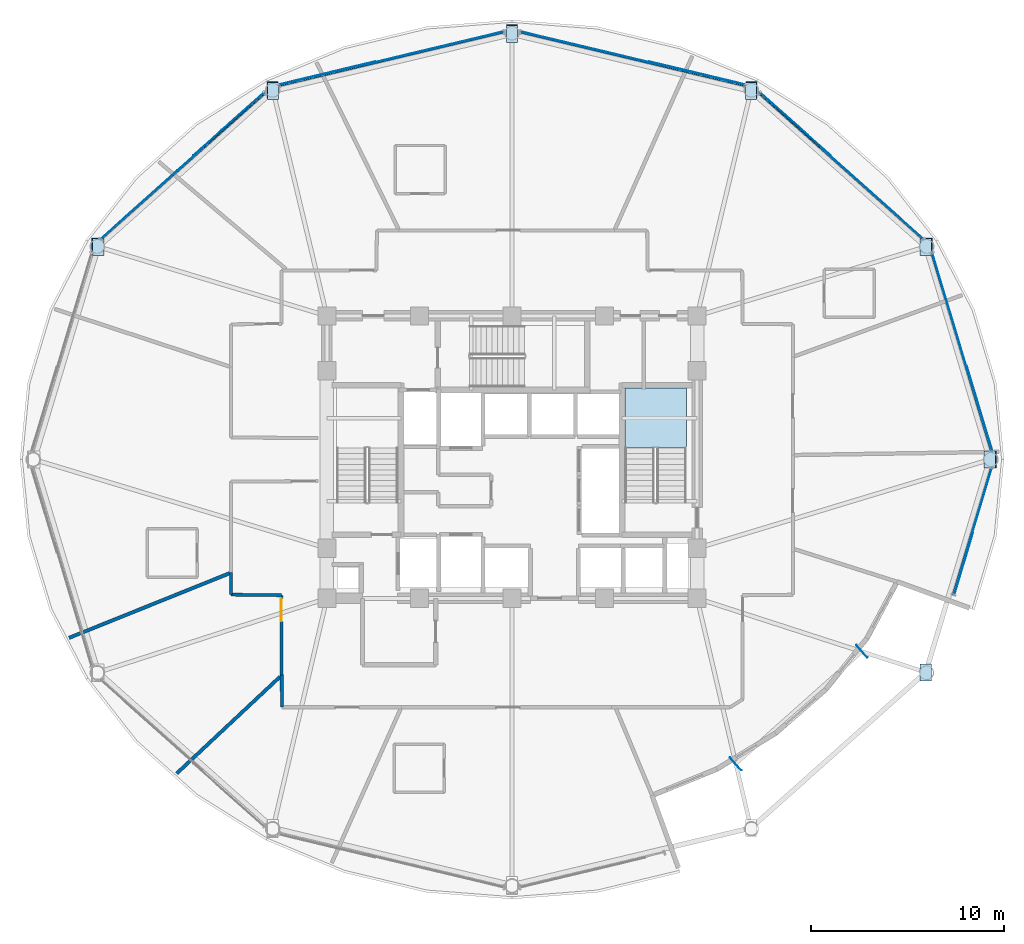
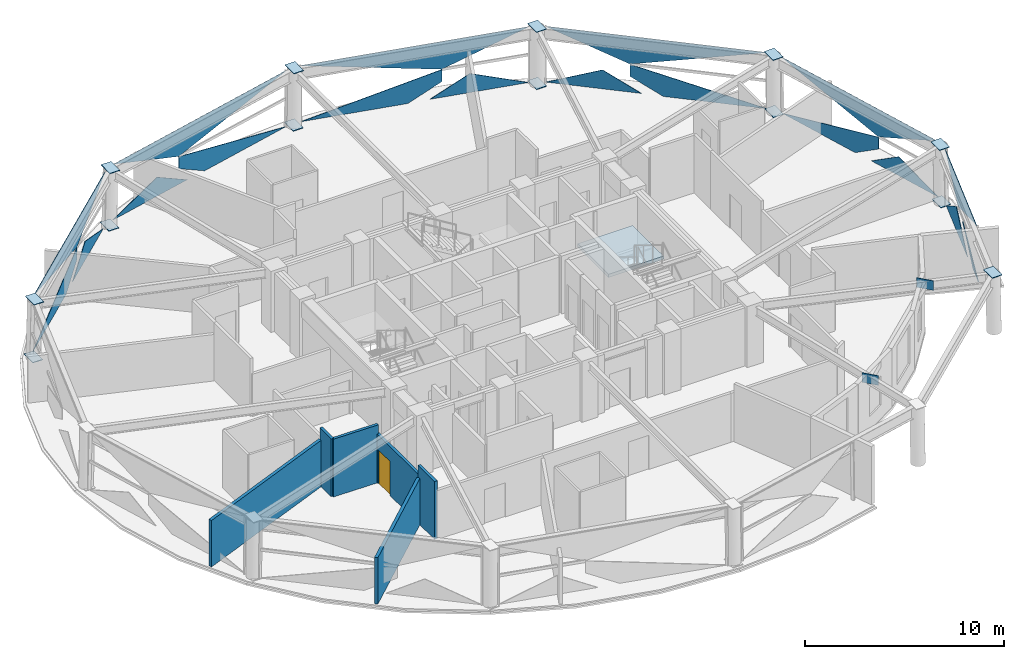
# One storey, part 9 of 16: 33 plates, 6 walls, 1 door, 1 slab, 1 opening, 7 elements without a shape of their own.
"""IFC4 building model written with IfcOpenShell, lengths in metres."""

from ifc_helpers import new_model, si_unit, direction, frame, frame_2d, origin, origin_2d, place, context, subcontext, project, spatial, polyline, rectangle, outline, extrude, material, layer, layer_set, type_object, element, fill, aggregate, save


model = new_model("IFC4")

# Units and contexts
model_context = context("Model", 3, precision=1e-05, world=origin(), true_north=direction((0.0, 1.0)))
body_context = subcontext(model_context, "Body", "Model", "MODEL_VIEW")
ifc_project = project(units=[si_unit("LENGTHUNIT", "METRE"), si_unit("AREAUNIT", "SQUARE_METRE"), si_unit("VOLUMEUNIT", "CUBIC_METRE"), si_unit("PLANEANGLEUNIT", "RADIAN"), si_unit("MASSUNIT", "GRAM", prefix="KILO")], contexts=[model_context])

# Site, building, storey
site_placement = place(None, origin())
site = spatial("IfcSite", under=ifc_project, at=site_placement, CompositionType="ELEMENT")
building_placement = place(site_placement, origin())
building = spatial("IfcBuilding", under=site, at=building_placement, Name="Vantalir Tower", CompositionType="ELEMENT")
storey_placement = place(building_placement, frame((0.0, 0.0, 145.949951171875)))
storey = spatial("IfcBuildingStorey", under=building, at=storey_placement, Name="L36", CompositionType="ELEMENT", Elevation=145.949951171875)

# Curtain wall, plates
ifc_material_1 = material(Name="Champagne-silver PVDF aluminium and double-silver Low-E glass", Category="aluminium")
ifc_layer_1 = layer(ifc_material_1, 0.199951171875)
ifc_layer_set_1 = layer_set([ifc_layer_1], Name="Champagne-silver PVDF aluminium and double-silver Low-E glass")
curtain_wall_type = type_object("IfcCurtainWallType", Name="CW-DIAMOND-Z2", PredefinedType="USERDEFINED", material=ifc_layer_set_1)
curtain_wall_1_placement = place(storey_placement, origin())
curtain_wall_1 = element("IfcCurtainWall", 1, at=curtain_wall_1_placement, inside=storey, type_object=curtain_wall_type, Name="L36 Quilted Pyramid-Diamond Curtain Wall S01", ObjectType="UNITISED CURTAIN WALL", PredefinedType="USERDEFINED")
ifc_material_2 = material(Name="Double-silver Low-E laminated glass IGU", Category="glass")
ifc_layer_2 = layer(ifc_material_2, 0.028076171875)
ifc_layer_set_2 = layer_set([ifc_layer_2], Name="Double-silver Low-E laminated glass IGU")
plate_type_1 = type_object("IfcPlateType", Name="CWP-IGU-28", PredefinedType="CURTAIN_PANEL", material=ifc_layer_set_2)
plate_1_placement = place(storey_placement, frame((54.76123046875, 30.900634765625, 0.046630859375), z_axis=(0.957655494281, 0.287896056791, 0.003437260198), x_axis=(-0.287897757433, 0.95766115159, -2.5426e-08)))
plate_1 = element("IfcPlate", 2, at=plate_1_placement, type_object=plate_type_1, Name="CW-L36-S01 Pyramid Diamond Facet 1L", PredefinedType="CURTAIN_PANEL", context=body_context, shape_type="SweptSolid", body=[
    extrude(outline(polyline([(0.0, 0.0), (5.033920455913618, 0.0), (-1.6190881230757117, 1.7263285163143134), (-1.6190895679045152, 0.9956111810586544), (0.0, 0.0)])), origin(), (0.0, 0.0, -1.0), 0.028076171875),
])
plate_2_placement = place(storey_placement, frame((56.4345703125, 25.44482421875, 0.046875), z_axis=(0.957666337096, 0.287860187207, 0.003420440718), x_axis=(-0.28786187112, 0.957671939213, 0.0)))
plate_2 = element("IfcPlate", 3, at=plate_2_placement, type_object=plate_type_1, Name="CW-L36-S01 Pyramid Diamond Facet 1L Infill Light", PredefinedType="CURTAIN_PANEL", context=body_context, shape_type="SweptSolid", body=[
    extrude(outline(polyline([(0.0, 0.0), (4.618846666204608, 8.673617379884035e-19), (2.7381322874267946, 1.156500905836639), (0.0, 0.0)])), origin(), (0.0, 0.0, -1.0), 0.028076171875),
])
plate_3_placement = place(storey_placement, frame((53.258056640625, 35.693359375, 3.5234375), z_axis=(0.957202659704, 0.28777973253, 0.030755386539), x_axis=(0.28791660525, -0.957655484974, -2.2792638e-05)))
plate_3 = element("IfcPlate", 4, at=plate_3_placement, type_object=plate_type_1, Name="CW-L36-S01 Pyramid Diamond Facet 2U", PredefinedType="CURTAIN_PANEL", context=body_context, shape_type="SweptSolid", body=[
    extrude(outline(polyline([(0.0, 0.0), (10.711380721923996, -1.691355389077387e-17), (6.64178824317576, 1.7269839408860455), (0.0, 0.0)])), origin(), (0.0, 0.0, -1.0), 0.028076171875),
])
aggregate(curtain_wall_1, [plate_1, plate_2, plate_3])

curtain_wall_2_placement = place(storey_placement, origin())
curtain_wall_2 = element("IfcCurtainWall", 5, at=curtain_wall_2_placement, inside=storey, type_object=curtain_wall_type, Name="L36 Quilted Pyramid-Diamond Curtain Wall S02", ObjectType="UNITISED CURTAIN WALL", PredefinedType="USERDEFINED")
plate_4_placement = place(storey_placement, frame((52.84130859375, 36.459716796875, 0.04638671875), z_axis=(0.665376583103, 0.746504205567, 0.002339600383), x_axis=(-0.746506319114, 0.665378323534, 4.576229e-05)))
plate_4 = element("IfcPlate", 6, at=plate_4_placement, type_object=plate_type_1, Name="CW-L36-S02 Pyramid Diamond Facet 1L", PredefinedType="CURTAIN_PANEL", context=body_context, shape_type="SweptSolid", body=[
    extrude(outline(polyline([(0.0, 0.0), (5.335393148997411, 7.047314121155779e-19), (7.040545642583719, 0.9933328719211961), (7.040678226600907, 1.7264891892320173), (0.0, 0.0)])), origin(), (0.0, 0.0, -1.0), 0.028076171875),
])
plate_5_placement = place(storey_placement, frame((48.034423828125, 40.787109375, 0.046630859375), z_axis=(0.665354603137, 0.746523188204, 0.002526174586), x_axis=(-0.746525653081, 0.665356631294, 4.9858121e-05)))
plate_5 = element("IfcPlate", 7, at=plate_5_placement, type_object=plate_type_1, Name="CW-L36-S02 Pyramid Diamond Facet 1L Infill Light", PredefinedType="CURTAIN_PANEL", context=body_context, shape_type="SweptSolid", body=[
    extrude(outline(polyline([(0.0, 0.0), (4.896707250500705, 2.710505431213761e-19), (1.9913833156679766, 1.160060666313716), (0.0, 0.0)])), origin(), (0.0, 0.0, -1.0), 0.028076171875),
])
plate_6_placement = place(storey_placement, frame((44.32666015625, 43.974365234375, 3.5234375), z_axis=(0.665155452201, 0.746107527391, 0.029862718842), x_axis=(0.746440004295, -0.665452717723, 2.1539172e-05)))
plate_6 = element("IfcPlate", 8, at=plate_6_placement, type_object=plate_type_1, Name="CW-L36-S02 Pyramid Diamond Facet 2U", PredefinedType="CURTAIN_PANEL", context=body_context, shape_type="SweptSolid", body=[
    extrude(outline(polyline([(0.0, 0.0), (11.334726583109456, 2.054563116860031e-17), (4.315824173374079, 1.727425875109583), (0.0, 0.0)])), origin(), (0.0, 0.0, -1.0), 0.028076171875),
])
aggregate(curtain_wall_2, [plate_4, plate_5, plate_6])

curtain_wall_3_placement = place(storey_placement, origin())
curtain_wall_3 = element("IfcCurtainWall", 9, at=curtain_wall_3_placement, inside=storey, type_object=curtain_wall_type, Name="L36 Quilted Pyramid-Diamond Curtain Wall S03", ObjectType="UNITISED CURTAIN WALL", PredefinedType="USERDEFINED")
plate_7_placement = place(storey_placement, frame((37.41259765625, 45.901611328125, 0.04638671875), z_axis=(0.232310110118, 0.972640530963, 0.001552502784), x_axis=(-0.972641703115, 0.232310390127, -2.91e-08)))
plate_7 = element("IfcPlate", 10, at=plate_7_placement, type_object=plate_type_1, Name="CW-L36-S03 Pyramid Diamond Facet 1L", PredefinedType="CURTAIN_PANEL", context=body_context, shape_type="SweptSolid", body=[
    extrude(outline(polyline([(0.0, 0.0), (5.624105275381156, 4.336808689942018e-19), (-1.784803683673208, 1.7270528106404872), (-1.7847575416652666, 0.9936533256351806), (0.0, 0.0)])), origin(), (0.0, 0.0, -1.0), 0.028076171875),
])
plate_8_placement = place(storey_placement, frame((43.5830078125, 44.460693359375, 0.046630859375), z_axis=(0.23232511391, 0.972636934376, 0.001560555849), x_axis=(-0.972638118726, 0.232325396806, 0.0)))
plate_8 = element("IfcPlate", 11, at=plate_8_placement, type_object=plate_type_1, Name="CW-L36-S03 Pyramid Diamond Facet 1L Infill Light", PredefinedType="CURTAIN_PANEL", context=body_context, shape_type="SweptSolid", body=[
    extrude(outline(polyline([(0.0, 0.0), (5.16600995415014, -2.168404344971009e-19), (3.0719119702863904, 1.1655287629771018), (0.0, 0.0)])), origin(), (0.0, 0.0, -1.0), 0.028076171875),
])
plate_9_placement = place(storey_placement, frame((31.942626953125, 47.1533203125, 3.523681640625), z_axis=(0.232172056274, 0.972243507747, 0.028960281926), x_axis=(0.972651611226, -0.232268901837, -2.0467827e-05)))
plate_9 = element("IfcPlate", 12, at=plate_9_placement, type_object=plate_type_1, Name="CW-L36-S03 Pyramid Diamond Facet 2U", PredefinedType="CURTAIN_PANEL", context=body_context, shape_type="SweptSolid", body=[
    extrude(outline(polyline([(0.0, 0.0), (11.928018734273456, 1.0842021724855044e-19), (7.39600446127463, 1.7276240307882713), (0.0, 0.0)])), origin(), (0.0, 0.0, -1.0), 0.028076171875),
])
aggregate(curtain_wall_3, [plate_7, plate_8, plate_9])

curtain_wall_4_placement = place(storey_placement, origin())
curtain_wall_4 = element("IfcCurtainWall", 13, at=curtain_wall_4_placement, inside=storey, type_object=curtain_wall_type, Name="L36 Quilted Pyramid-Diamond Curtain Wall S04", ObjectType="UNITISED CURTAIN WALL", PredefinedType="USERDEFINED")
plate_10_placement = place(storey_placement, frame((31.0576171875, 47.208251953125, 0.04638671875), z_axis=(-0.232322418023, 0.972637559466, 0.001572259575), x_axis=(-0.972638761633, -0.232322705237, 4.1279e-08)))
plate_10 = element("IfcPlate", 14, at=plate_10_placement, type_object=plate_type_1, Name="CW-L36-S04 Pyramid Diamond Facet 1L", PredefinedType="CURTAIN_PANEL", context=body_context, shape_type="SweptSolid", body=[
    extrude(outline(polyline([(0.0, 0.0), (5.623630354994772, -4.336808689942018e-19), (7.408387926816473, 0.9936532660919719), (7.408196632872733, 1.7270528422228364), (0.0, 0.0)])), origin(), (0.0, 0.0, -1.0), 0.028076171875),
])
plate_11_placement = place(storey_placement, frame((24.4423828125, 45.660888671875, 0.046630859375), z_axis=(-0.232291059458, 0.972644965137, 0.001623419215), x_axis=(-0.972646246837, -0.232291365559, 0.0)))
plate_11 = element("IfcPlate", 15, at=plate_11_placement, type_object=plate_type_1, Name="CW-L36-S04 Pyramid Diamond Facet 1L Infill Light", PredefinedType="CURTAIN_PANEL", context=body_context, shape_type="SweptSolid", body=[
    extrude(outline(polyline([(0.0, 0.0), (5.165715776766269, -2.168404344971009e-19), (2.0940979189424147, 1.1655288796208356), (0.0, 0.0)])), origin(), (0.0, 0.0, -1.0), 0.028076171875),
])
plate_12_placement = place(storey_placement, frame((19.45654296875, 44.3828125, 3.5234375), z_axis=(-0.23218595414, 0.972240325443, 0.028955695161), x_axis=(0.972648298282, 0.232282774715, 2.046905e-05)))
plate_12 = element("IfcPlate", 16, at=plate_12_placement, type_object=plate_type_1, Name="CW-L36-S04 Pyramid Diamond Facet 2U", PredefinedType="CURTAIN_PANEL", context=body_context, shape_type="SweptSolid", body=[
    extrude(outline(polyline([(0.0, 0.0), (11.927306344169839, 6.884683795282953e-18), (4.531777521075065, 1.7276238018212564), (0.0, 0.0)])), origin(), (0.0, 0.0, -1.0), 0.028076171875),
])
aggregate(curtain_wall_4, [plate_10, plate_11, plate_12])

curtain_wall_5_placement = place(storey_placement, origin())
curtain_wall_5 = element("IfcCurtainWall", 17, at=curtain_wall_5_placement, inside=storey, type_object=curtain_wall_type, Name="L36 Quilted Pyramid-Diamond Curtain Wall S05", ObjectType="UNITISED CURTAIN WALL", PredefinedType="USERDEFINED")
plate_13_placement = place(storey_placement, frame((14.14208984375, 40.009765625, 0.046630859375), z_axis=(-0.665316666427, 0.746557851069, 0.002260172848), x_axis=(-0.746559825891, -0.665318287947, -4.5714901e-05)))
plate_13 = element("IfcPlate", 18, at=plate_13_placement, type_object=plate_type_1, Name="CW-L36-S05 Pyramid Diamond Facet 1L", PredefinedType="CURTAIN_PANEL", context=body_context, shape_type="SweptSolid", body=[
    extrude(outline(polyline([(0.0, 0.0), (5.335757663569112, 1.0570971181733668e-18), (-1.7052853151101994, 1.7264889546422528), (-1.705334892817334, 0.993332999103808), (0.0, 0.0)])), origin(), (0.0, 0.0, -1.0), 0.028076171875),
])
plate_14_placement = place(storey_placement, frame((18.6220703125, 44.045166015625, 0.046875), z_axis=(-0.665330176247, 0.746545653615, 0.002311632156), x_axis=(-0.746547724011, -0.665331867032, -4.9856266e-05)))
plate_14 = element("IfcPlate", 19, at=plate_14_placement, type_object=plate_type_1, Name="CW-L36-S05 Pyramid Diamond Facet 1L Infill Light", PredefinedType="CURTAIN_PANEL", context=body_context, shape_type="SweptSolid", body=[
    extrude(outline(polyline([(0.0, 0.0), (4.896889510434482, -3.2526065174565133e-19), (2.9053436540934046, 1.1603042011574851), (0.0, 0.0)])), origin(), (0.0, 0.0, -1.0), 0.028076171875),
])
plate_15_placement = place(storey_placement, frame((10.212646484375, 36.431640625, 3.523681640625), z_axis=(-0.665113654167, 0.746146753628, 0.029813572259), x_axis=(0.74647815315, 0.665409923586, -2.1537787e-05)))
plate_15 = element("IfcPlate", 20, at=plate_15_placement, type_object=plate_type_1, Name="CW-L36-S05 Pyramid Diamond Facet 2U", PredefinedType="CURTAIN_PANEL", context=body_context, shape_type="SweptSolid", body=[
    extrude(outline(polyline([(0.0, 0.0), (11.335455547054119, -9.161508357502512e-18), (7.019446175358583, 1.7274233376924584), (0.0, 0.0)])), origin(), (0.0, 0.0, -1.0), 0.028076171875),
])
aggregate(curtain_wall_5, [plate_13, plate_14, plate_15])

curtain_wall_6_placement = place(storey_placement, origin())
curtain_wall_6 = element("IfcCurtainWall", 21, at=curtain_wall_6_placement, inside=storey, type_object=curtain_wall_type, Name="L36 Quilted Pyramid-Diamond Curtain Wall S12", ObjectType="UNITISED CURTAIN WALL", PredefinedType="USERDEFINED")
plate_16_placement = place(storey_placement, frame((55.07470703125, 20.142333984375, 0.047607421875), z_axis=(0.957658932573, -0.287884741065, 0.003427057685), x_axis=(0.287886257717, 0.957664607168, 5.2871673e-05)))
plate_16 = element("IfcPlate", 22, at=plate_16_placement, type_object=plate_type_1, Name="CW-L36-S12 Pyramid Diamond Facet 1L", PredefinedType="CURTAIN_PANEL", context=body_context, shape_type="SweptSolid", body=[
    extrude(outline(polyline([(0.0, 0.0), (4.617607362249798, -5.421010862427522e-20), (2.3913671803152354, 1.4703411852486452), (0.0, 0.0)])), origin(), (0.0, 0.0, -1.0), 0.028076171875),
])
plate_17_placement = place(storey_placement, frame((54.460693359375, 17.98828125, 0.04736328125), z_axis=(0.957686520119, -0.287794118644, 0.003327830582), x_axis=(0.287795030358, 0.957692004555, 0.000211925648)))
plate_17 = element("IfcPlate", 23, at=plate_17_placement, type_object=plate_type_1, Name="CW-L36-S12 Pyramid Diamond Facet 1L Infill Light", PredefinedType="CURTAIN_PANEL", context=body_context, shape_type="SweptSolid", body=[
    extrude(outline(polyline([(0.0, 0.0), (1.1520107499356178, -1.3552527156068805e-19), (3.3884130669849486, 1.374777832966316), (0.0, 0.0)])), origin(), (0.0, 0.0, -1.0), 0.028076171875),
])
plate_18_placement = place(storey_placement, frame((56.342041015625, 24.564453125, 3.522216796875), z_axis=(0.957210471888, -0.287760358574, 0.030693460878), x_axis=(-0.287898101371, -0.957661045532, 7.1403299e-05)))
plate_18 = element("IfcPlate", 24, at=plate_18_placement, type_object=plate_type_1, Name="CW-L36-S12 Pyramid Diamond Facet 2U", PredefinedType="CURTAIN_PANEL", context=body_context, shape_type="SweptSolid", body=[
    extrude(outline(polyline([(0.0, 0.0), (6.838357011132835, -6.7220534694101275e-18), (2.591940937329835, 1.7246304587512098), (0.0, 0.0)])), origin(), (0.0, 0.0, -1.0), 0.028076171875),
])
aggregate(curtain_wall_6, [plate_16, plate_17, plate_18])

# Plates
ifc_material_3 = material(Name="Steel S460", Category="steel")
ifc_layer_3 = layer(ifc_material_3, 0.035888671875)
ifc_layer_set_3 = layer_set([ifc_layer_3], Name="Steel S460")
plate_type_2 = type_object("IfcPlateType", Name="PLT-KN-Z2", PredefinedType="USERDEFINED", material=ifc_layer_set_3)
for number, where, z_axis, x_axis, name in (
    (25, (55.99267578125, 25.43994140625, 3.593017578125), (-0.017260586116, 0.0, 0.999851024987), (0.0, -1.0, 0.0), "L36 Ring Column Top Cap RC01"),
    (26, (56.05419921875, 25.43994140625, 0.048095703125), (-0.017260586116, 0.0, 0.999851024987), (0.0, -1.0, 0.0), "L36 Ring Column Base Cap RC01"),
):
    element("IfcPlate", number, at=place(storey_placement, frame(where, z_axis=z_axis, x_axis=x_axis)), inside=storey, type_object=plate_type_2, Name=name, ObjectType="FLANGE_PLATE", PredefinedType="USERDEFINED", context=body_context, shape_type="SweptSolid", body=[
        extrude(outline(polyline([(0.0, 0.0), (0.8798828125, 0.0), (0.8798828125, 0.5799203780210307), (0.0, 0.5799203780210307), (0.0, 0.0)])), origin(), (0.0, 0.0, -1.0), 0.035888671875),
    ])
plate_19_placement = place(storey_placement, frame((52.672607421875, 36.473876953125, 3.59716796875), z_axis=(-0.014736432467, -0.007766989843, 0.999861246087), x_axis=(1.5874e-08, -0.999969829929, -0.007767833096)))
element("IfcPlate", 27, at=plate_19_placement, inside=storey, type_object=plate_type_2, Name="L36 Ring Column Top Cap RC02", ObjectType="FLANGE_PLATE", PredefinedType="USERDEFINED", context=body_context, shape_type="SweptSolid", body=[
    extrude(outline(polyline([(0.0, 0.0), (0.8801535000542241, -1.3552527156068805e-20), (0.8800871337317845, 0.579896939740718), (0.00017776693682048842, 0.5798969676836564), (0.0, 0.0)])), origin(), (0.0, 0.0, -1.0), 0.035888671875),
])
plate_20_placement = place(storey_placement, frame((52.725341796875, 36.501708984375, 0.05224609375), z_axis=(-0.014946895822, -0.007905652796, 0.99985703526), x_axis=(-2.056327e-06, -0.99996874261, -0.007906566782)))
element("IfcPlate", 28, at=plate_20_placement, inside=storey, type_object=plate_type_2, Name="L36 Ring Column Base Cap RC02", ObjectType="FLANGE_PLATE", PredefinedType="USERDEFINED", context=body_context, shape_type="SweptSolid", body=[
    extrude(outline(polyline([(0.0, 0.0), (0.8801554217643001, -2.710505431213761e-20), (0.8800847381266741, 0.5799005754414984), (0.00017537967033122312, 0.5798969557692079), (0.0, 0.0)])), origin(), (0.0, 0.0, -1.0), 0.035888671875),
])
plate_21_placement = place(storey_placement, frame((43.601806640625, 44.551513671875, 3.6015625), z_axis=(-0.008630476033, -0.013455550176, 0.999872223363), x_axis=(-1.197083e-06, -0.999909463103, -0.013456061654)))
element("IfcPlate", 29, at=plate_21_placement, inside=storey, type_object=plate_type_2, Name="L36 Ring Column Top Cap RC03", ObjectType="FLANGE_PLATE", PredefinedType="USERDEFINED", context=body_context, shape_type="SweptSolid", body=[
    extrude(outline(polyline([(0.0, 0.0), (0.8799641240344191, -2.710505431213761e-20), (0.8798944413275386, 0.5798566334289026), (-6.63975355783869e-05, 0.579854526573788), (0.0, 0.0)])), origin(), (0.0, 0.0, -1.0), 0.035888671875),
])
plate_22_placement = place(storey_placement, frame((43.632568359375, 44.599365234375, 0.056396484375), z_axis=(-0.008632506637, -0.01345554994, 0.999872205837), x_axis=(1.197369e-06, -0.999909463381, -0.013456040987)))
element("IfcPlate", 30, at=plate_22_placement, inside=storey, type_object=plate_type_2, Name="L36 Ring Column Base Cap RC03", ObjectType="FLANGE_PLATE", PredefinedType="USERDEFINED", context=body_context, shape_type="SweptSolid", body=[
    extrude(outline(polyline([(0.0, 0.0), (0.8799608388656392, 2.710505431213761e-20), (0.8801399486295944, 0.5800986860771278), (0.00017582459769856142, 0.5801007934358169), (0.0, 0.0)])), origin(), (0.0, 0.0, -1.0), 0.035888671875),
])
for number, where, z_axis, x_axis, name in (
    (31, (31.2099609375, 47.508544921875, 3.604736328125), (0.0, -0.015259044553, 0.999883574002), (0.0, -0.999883574002, -0.015259044553), "L36 Ring Column Top Cap RC04"),
    (32, (31.2099609375, 47.563232421875, 0.059814453125), (0.0, -0.015259044553, 0.999883574002), (0.0, -0.999883574002, -0.015259044553), "L36 Ring Column Base Cap RC04"),
):
    element("IfcPlate", number, at=place(storey_placement, frame(where, z_axis=z_axis, x_axis=x_axis)), inside=storey, type_object=plate_type_2, Name=name, ObjectType="FLANGE_PLATE", PredefinedType="USERDEFINED", context=body_context, shape_type="SweptSolid", body=[
        extrude(outline(polyline([(0.0, 0.0), (0.8799852656626449, 0.0), (0.8799852656626449, 0.5800781250000001), (0.0, 0.5800781250000001), (0.0, 0.0)])), origin(), (0.0, 0.0, -1.0), 0.035888671875),
    ])
plate_23_placement = place(storey_placement, frame((18.8193359375, 44.551513671875, 3.6064453125), z_axis=(0.008630476033, -0.013455550176, 0.999872223363), x_axis=(-1.197088e-06, -0.999909463381, -0.013456040992)))
element("IfcPlate", 33, at=plate_23_placement, inside=storey, type_object=plate_type_2, Name="L36 Ring Column Top Cap RC05", ObjectType="FLANGE_PLATE", PredefinedType="USERDEFINED", context=body_context, shape_type="SweptSolid", body=[
    extrude(outline(polyline([(0.0, 0.0), (0.8799608388656391, 1.3552527156068805e-20), (0.8800291332449259, 0.579856633594079), (6.500921302898241e-05, 0.5798545267310989), (0.0, 0.0)])), origin(), (0.0, 0.0, -1.0), 0.035888671875),
])
plate_24_placement = place(storey_placement, frame((18.78857421875, 44.59912109375, 0.0615234375), z_axis=(0.008636141106, -0.013455549518, 0.999872174457), x_axis=(1.197869e-06, -0.999909463103, -0.013456061667)))
element("IfcPlate", 34, at=plate_24_placement, inside=storey, type_object=plate_type_2, Name="L36 Ring Column Base Cap RC05", ObjectType="FLANGE_PLATE", PredefinedType="USERDEFINED", context=body_context, shape_type="SweptSolid", body=[
    extrude(outline(polyline([(0.0, 0.0), (0.8799641240344198, 2.710505431213761e-20), (0.8797864035043809, 0.5798545545365699), (-0.00017443535873351823, 0.579856662774631), (0.0, 0.0)])), origin(), (0.0, 0.0, -1.0), 0.035888671875),
])
plate_25_placement = place(storey_placement, frame((9.74755859375, 36.4736328125, 3.605712890625), z_axis=(0.014736432467, -0.007766989843, 0.999861246087), x_axis=(1.5879e-08, -0.999969829926, -0.007767833564)))
element("IfcPlate", 35, at=plate_25_placement, inside=storey, type_object=plate_type_2, Name="L36 Ring Column Top Cap RC06", ObjectType="FLANGE_PLATE", PredefinedType="USERDEFINED", context=body_context, shape_type="SweptSolid", body=[
    extrude(outline(polyline([(0.0, 0.0), (0.8799093667949645, 0.0), (0.8799757515329649, 0.5798969397386101), (-0.00017774852125878004, 0.5798969676893014), (0.0, 0.0)])), origin(), (0.0, 0.0, -1.0), 0.035888671875),
])
plate_26_placement = place(storey_placement, frame((9.69482421875, 36.50146484375, 0.060791015625), z_axis=(0.014946895822, -0.007905652796, 0.99985703526), x_axis=(-2.056902e-06, -0.999968743096, -0.007906505297)))
element("IfcPlate", 36, at=plate_26_placement, inside=storey, type_object=plate_type_2, Name="L36 Ring Column Base Cap RC06", ObjectType="FLANGE_PLATE", PredefinedType="USERDEFINED", context=body_context, shape_type="SweptSolid", body=[
    extrude(outline(polyline([(0.0, 0.0), (0.8799093584637881, 0.0), (0.8799776565715586, 0.5799005757273622), (-0.00017776518529443776, 0.579896955042844), (0.0, 0.0)])), origin(), (0.0, 0.0, -1.0), 0.035888671875),
])
plate_27_placement = place(storey_placement, frame((52.672607421875, 14.4052734375, 3.59033203125), z_axis=(-0.014945264166, 0.007627220143, 0.999859222387), x_axis=(2.072498e-06, -0.999970905596, 0.007628103074)))
element("IfcPlate", 37, at=plate_27_placement, inside=storey, type_object=plate_type_2, Name="L36 Ring Column Top Cap RC12", ObjectType="FLANGE_PLATE", PredefinedType="USERDEFINED", context=body_context, shape_type="SweptSolid", body=[
    extrude(outline(polyline([(0.0, 0.0), (0.8801534915920256, 1.3552527156068805e-20), (0.8802198748415428, 0.5798969268950609), (6.824557936929352e-05, 0.5799005755311779), (0.0, 0.0)])), origin(), (0.0, 0.0, -1.0), 0.035888671875),
])
for number, where, z_axis, x_axis, name in (
    (38, (43.09912109375, 9.212890625, 3.080078125), (0.0, 0.0, 1.0), (0.746835527237, 0.665008793368, 0.0), "L36 Lintel Cap 1A"),
    (39, (49.653076171875, 15.049072265625, 3.080078125), (0.0, 0.0, 1.0), (0.746835527237, 0.665008793368, 0.0), "L36 Lintel Cap 1B"),
):
    element("IfcPlate", number, at=place(storey_placement, frame(where, z_axis=z_axis, x_axis=x_axis)), inside=storey, type_object=plate_type_2, Name=name, ObjectType="FLANGE_PLATE", PredefinedType="USERDEFINED", context=body_context, shape_type="SweptSolid", body=[
        extrude(rectangle(XDim=0.035888671875, YDim=0.8798828125, at=origin_2d()), origin(), (0.0, 0.0, 1.0), 0.580078125),
    ])

# Stair, slab
ifc_material_4 = material(Name="Concrete C40/50", Category="concrete")
stair_type = type_object("IfcStairType", Name="STR-CORE-1450", PredefinedType="HALF_TURN_STAIR", material=ifc_material_4)
stair_placement = place(storey_placement, origin())
stair = element("IfcStair", 40, at=stair_placement, inside=storey, type_object=stair_type, Name="L36 Core Exit Stair 2", PredefinedType="HALF_TURN_STAIR")
ifc_layer_4 = layer(ifc_material_4, 0.199951171875)
ifc_layer_set_4 = layer_set([ifc_layer_4], Name="Concrete C40/50")
slab_type = type_object("IfcSlabType", Name="SL-LAND-200", PredefinedType="LANDING", material=ifc_layer_set_4)
slab_placement = place(storey_placement, frame((0.0, 0.0, 1.675048828125)))
slab = element("IfcSlab", 41, at=slab_placement, type_object=slab_type, Name="ST2 landing 1", PredefinedType="LANDING", context=body_context, shape_type="SweptSolid", body=[
    extrude(outline(polyline([(40.550048828125, 25.590087890625), (40.550048828125, 28.699951171875), (37.35009765625, 28.699951171875), (37.35009765625, 25.590087890625), (40.550048828125, 25.590087890625)])), origin(), (0.0, 0.0, 1.0), 0.199951171875),
])
aggregate(stair, [slab])

# Wall
ifc_material_5 = material(Name="Fire-rated hotel corridor acoustic partition", Category="gypsum")
ifc_layer_5 = layer(ifc_material_5, 0.159912109375)
ifc_layer_set_5 = layer_set([ifc_layer_5], Name="Fire-rated hotel corridor acoustic partition")
wall_type_1 = type_object("IfcWallType", Name="WL-CORR-160", PredefinedType="PARTITIONING", material=ifc_layer_set_5)
wall_1_placement = place(storey_placement, frame((19.56298828125, 12.152099609375, 0.0), z_axis=(0.0, 0.0, 1.0), x_axis=(-0.004842202953, 0.999988276467, 0.0)))
element("IfcWall", 42, at=wall_1_placement, inside=storey, type_object=wall_type_1, Name="L36 Corridor Partition 25", PredefinedType="PARTITIONING", context=body_context, shape_type="SweptSolid", body=[
    extrude(rectangle(XDim=1.663818359375, YDim=0.159912109375, at=frame_2d((0.83203125, 0.0))), origin(), (0.0, 0.0, 1.0), 3.550048828125),
])

# Wall, opening, door
wall_2_placement = place(storey_placement, frame((19.554931640625, 13.81591796875, 0.0), z_axis=(0.0, 0.0, 1.0), x_axis=(-0.004830861504, 0.99998833132, 0.0)))
wall_2 = element("IfcWall", 43, at=wall_2_placement, inside=storey, type_object=wall_type_1, Name="L36 Corridor Partition 26", PredefinedType="PARTITIONING", context=body_context, shape_type="SweptSolid", body=[
    extrude(rectangle(XDim=4.14404296875, YDim=0.159912109375, at=frame_2d((2.072021484375, 0.0))), origin(), (0.0, 0.0, 1.0), 3.006103515625),
])
opening_placement = place(wall_2_placement, frame((2.783935546875, 0.0, 0.0)))
opening = element("IfcOpeningElement", 44, at=opening_placement, cuts=wall_2, Name="Opening D-STE", PredefinedType="OPENING", context=body_context, shape_type="SweptSolid", body=[
    extrude(rectangle(XDim=1.199951171875, YDim=2.10009765625, at=frame_2d((0.60009765625, 1.050048828125))), frame((0.0, 0.08984375, 0.0), z_axis=(0.0, -1.0, 0.0), x_axis=(1.0, 0.0, 0.0)), (0.0, 0.0, 1.0), 0.179931640625),
])
ifc_material_6 = material(Name="Solid-core teak veneer suite entrance door", Category="wood")
door_type = type_object("IfcDoorType", Name="DR-SUITE-ENTRY-1200", OperationType="NOTDEFINED", PredefinedType="DOOR", material=ifc_material_6)
door_placement = place(opening_placement, origin())
door = element("IfcDoor", 45, at=door_placement, inside=storey, type_object=door_type, Name="L36 Club Reading Lounge 06 Door", OperationType="SINGLE_SWING_RIGHT", OverallHeight=2.10009765625, OverallWidth=1.199951171875, PredefinedType="DOOR", context=body_context, shape_type="SweptSolid", body=[
    extrude(rectangle(XDim=1.199951171875, YDim=2.10009765625, at=frame_2d((0.60009765625, 1.050048828125))), frame((0.0, 0.02490234375, 0.0), z_axis=(0.0, -1.0, 0.0), x_axis=(1.0, 0.0, 0.0)), (0.0, 0.0, 1.0), 0.050048828125),
])
fill(opening, door)

# Walls
wall_3_placement = place(storey_placement, frame((19.534912109375, 17.9599609375, 0.0), z_axis=(0.0, 0.0, 1.0), x_axis=(-0.999924866554, 0.012258109444, 0.0)))
element("IfcWall", 46, at=wall_3_placement, inside=storey, type_object=wall_type_1, Name="L36 Corridor Partition 27", PredefinedType="PARTITIONING", context=body_context, shape_type="SweptSolid", body=[
    extrude(rectangle(XDim=2.609130859375, YDim=0.159912109375, at=frame_2d((1.3046875, 0.0))), origin(), (0.0, 0.0, 1.0), 3.550048828125),
])
wall_4_placement = place(storey_placement, frame((16.926025390625, 17.991943359375, 0.0), z_axis=(0.0, 0.0, 1.0), x_axis=(0.0, 1.0, 0.0)))
element("IfcWall", 47, at=wall_4_placement, inside=storey, type_object=wall_type_1, Name="L36 Corridor Partition 28", PredefinedType="PARTITIONING", context=body_context, shape_type="SweptSolid", body=[
    extrude(rectangle(XDim=1.14111328125, YDim=0.159912109375, at=frame_2d((0.570556640625, 0.0))), origin(), (0.0, 0.0, 1.0), 3.550048828125),
])
ifc_material_7 = material(Name="Twin-stud acoustic fire-rated gypsum partition", Category="gypsum")
ifc_layer_6 = layer(ifc_material_7, 0.179931640625)
ifc_layer_set_6 = layer_set([ifc_layer_6], Name="Twin-stud acoustic fire-rated gypsum partition")
wall_type_2 = type_object("IfcWallType", Name="WL-GUEST-180", PredefinedType="PARTITIONING", material=ifc_layer_set_6)
wall_5_placement = place(storey_placement, frame((16.85009765625, 19.10205078125, 0.0), z_axis=(0.0, 0.0, 1.0), x_axis=(-0.927640946313, -0.373473258378, 0.0)))
element("IfcWall", 48, at=wall_5_placement, inside=storey, type_object=wall_type_2, Name="L36 Radial Suite Partition 06", PredefinedType="PARTITIONING", context=body_context, shape_type="SweptSolid", body=[
    extrude(rectangle(XDim=8.97021484375, YDim=0.179931640625, at=frame_2d((4.485107421875, 0.0))), origin(), (0.0, 0.0, 1.0), 2.85205078125),
])
wall_6_placement = place(storey_placement, frame((19.4599609375, 13.72705078125, 0.0), z_axis=(0.0, 0.0, 1.0), x_axis=(-0.72998781112, -0.683460163884, 0.0)))
element("IfcWall", 49, at=wall_6_placement, inside=storey, type_object=wall_type_2, Name="L36 Radial Suite Partition 07", PredefinedType="PARTITIONING", context=body_context, shape_type="SweptSolid", body=[
    extrude(rectangle(XDim=7.330322265625, YDim=0.179931640625, at=frame_2d((3.6650390625, 0.0))), origin(), (0.0, 0.0, 1.0), 2.85205078125),
])

save(model, "model.ifc")
